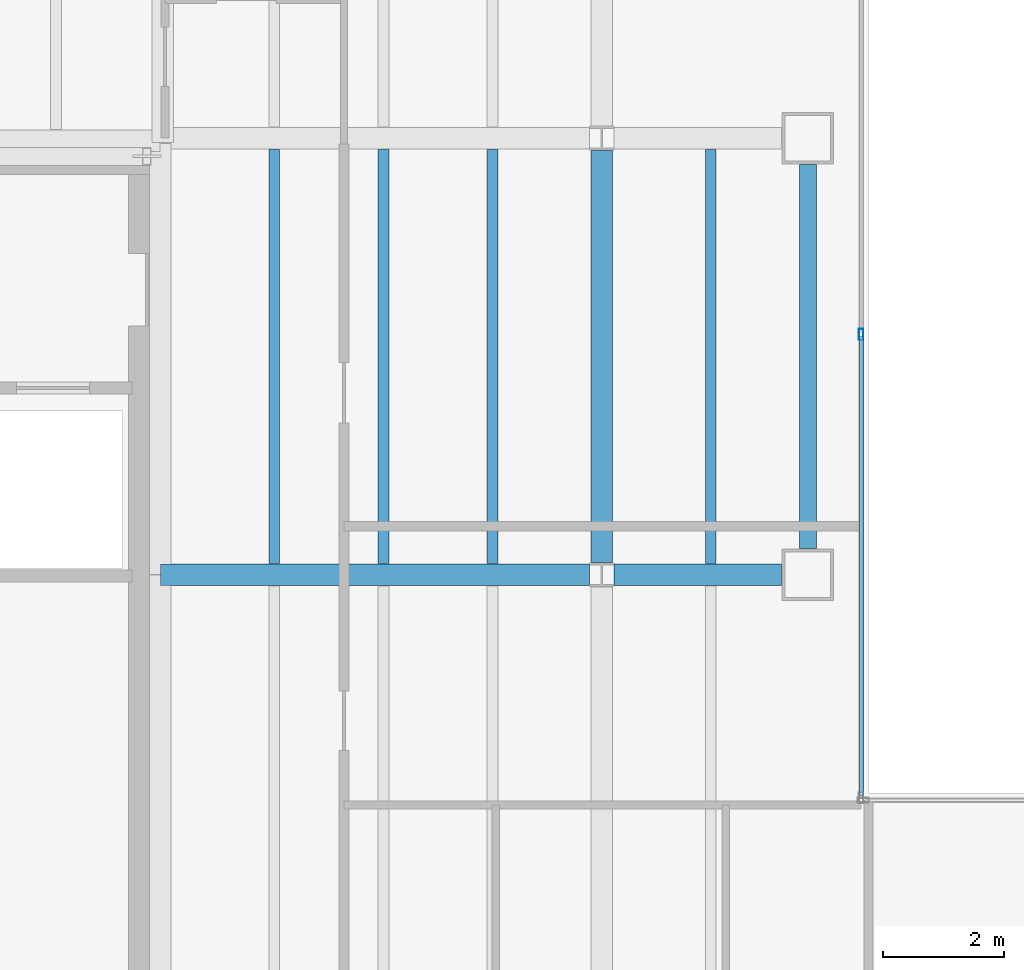
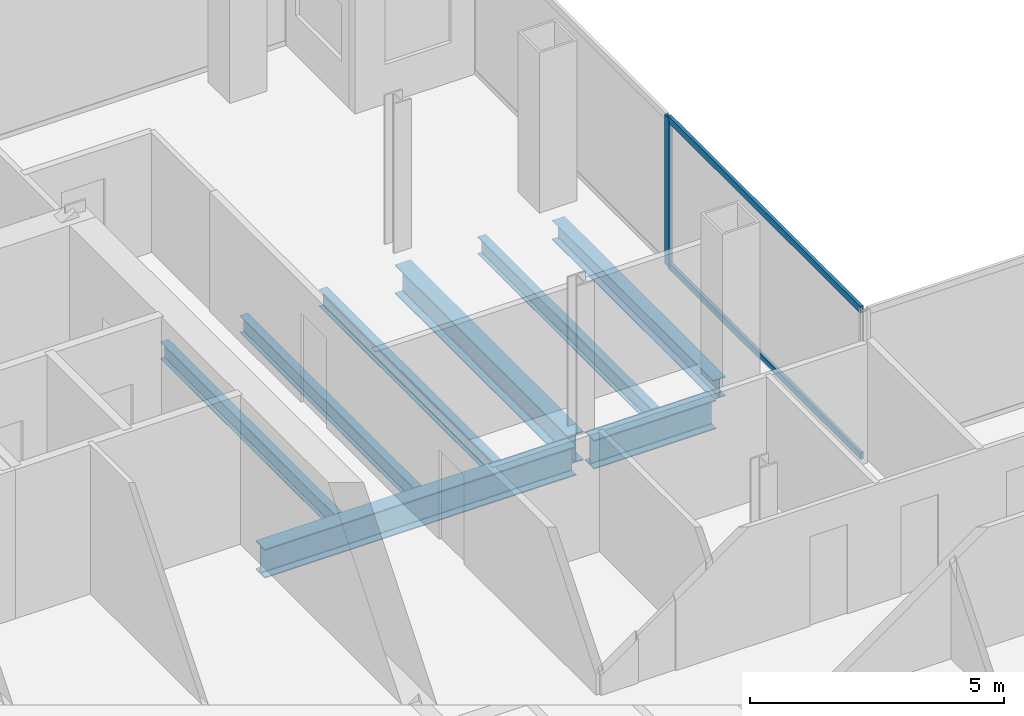
# One storey, part 8 of 23: 8 beams, 3 members, 1 element without a shape of its own.
"""IFC4 building model written with IfcOpenShell, lengths in metres."""

import ifcopenshell
import ifcopenshell.guid

model = None  # the IFC model being written
_history = None  # IfcOwnerHistory: only IFC2X3 demands one
_inside = {}  # id of a spatial element -> (the spatial element, [elements in it])
_under = {}  # id of a project, library or spatial element -> (it, [spatial elements below it])
_declared = {}  # id of a project -> (the project, [libraries it declares])
_typed = {}  # id of a type object -> (the type object, [elements of that type])
_made_of = {}  # id of a material, layer set ... -> (it, [elements and type objects made of it])


def new_model(schema):
    """Start an empty IFC model of exactly this schema.

    Asked for "IFC4X3", IfcOpenShell would pick the latest addendum, in which some entities
    have other attributes; the version numbers below select the first issue.
    IFC2X3 requires an IfcOwnerHistory on every rooted entity: one is made here for all.
    """
    global model, _history
    if schema == "IFC4X3":
        model = ifcopenshell.file(schema_version=(4, 3, 0, 0))
    else:
        model = ifcopenshell.file(schema=schema)
    _inside.clear()
    _under.clear()
    _declared.clear()
    _typed.clear()
    _made_of.clear()
    _history = None
    if model.schema == "IFC2X3":
        org = make("IfcOrganization", Name="unknown")
        user = make(
            "IfcPersonAndOrganization",
            ThePerson=make("IfcPerson", FamilyName="unknown"),
            TheOrganization=org,
        )
        app = make(
            "IfcApplication",
            ApplicationDeveloper=org,
            Version="unknown",
            ApplicationFullName="unknown",
            ApplicationIdentifier="unknown",
        )
        _history = make(
            "IfcOwnerHistory",
            OwningUser=user,
            OwningApplication=app,
            ChangeAction="ADDED",
            CreationDate=0,
        )
    return model


def make(cls, **values):
    """One entity of the class cls with the attributes given. An attribute that is None is left unset."""
    return model.create_entity(
        cls, **{name: value for name, value in values.items() if value is not None}
    )


def rooted(cls, **values):
    """An entity with a GlobalId (a new one), such as an element, a storey or a relation."""
    return make(cls, GlobalId=ifcopenshell.guid.new(), OwnerHistory=_history, **values)


def si_unit(unit_type, name, prefix=None):
    """IfcSIUnit, for example si_unit("LENGTHUNIT", "METRE", prefix="MILLI")."""
    return make("IfcSIUnit", UnitType=unit_type, Prefix=prefix, Name=name)


def assignment(units):
    """IfcUnitAssignment: the units of a project."""
    return None if units is None else make("IfcUnitAssignment", Units=units)


def point(xyz):
    """IfcCartesianPoint."""
    return None if xyz is None else make("IfcCartesianPoint", Coordinates=xyz)


def direction(xyz):
    """IfcDirection."""
    return None if xyz is None else make("IfcDirection", DirectionRatios=xyz)


def frame(location, z_axis=None, x_axis=None):
    """IfcAxis2Placement3D, a coordinate frame: its origin and axes. An axis left out is left unset."""
    return make(
        "IfcAxis2Placement3D",
        Location=point(location),
        Axis=direction(z_axis),
        RefDirection=direction(x_axis),
    )


def frame_2d(location, x_axis=None):
    """IfcAxis2Placement2D, a coordinate frame in the plane: its origin and x axis."""
    return make(
        "IfcAxis2Placement2D", Location=point(location), RefDirection=direction(x_axis)
    )


def origin():
    """The frame at (0, 0, 0) with its axes left unset."""
    return frame((0.0, 0.0, 0.0))


def origin_2d():
    """The frame at (0, 0) in the plane with its x axis left unset."""
    return frame_2d((0.0, 0.0))


def place(relative_to, where):
    """IfcLocalPlacement: puts the frame where relative to a parent placement (None: the world)."""
    return make(
        "IfcLocalPlacement", PlacementRelTo=relative_to, RelativePlacement=where
    )


def context(
    kind, dimensions, precision=None, world=None, true_north=None, identifier=None
):
    """IfcGeometricRepresentationContext, for example the 3D "Model" context."""
    return make(
        "IfcGeometricRepresentationContext",
        ContextIdentifier=identifier,
        ContextType=kind,
        CoordinateSpaceDimension=dimensions,
        Precision=precision,
        WorldCoordinateSystem=world,
        TrueNorth=true_north,
    )


def subcontext(parent, identifier, kind, view, scale=None):
    """IfcGeometricRepresentationSubContext, for example "Body" below "Model"."""
    return make(
        "IfcGeometricRepresentationSubContext",
        ContextIdentifier=identifier,
        ContextType=kind,
        ParentContext=parent,
        TargetScale=scale,
        TargetView=view,
    )


def project(units=None, contexts=None):
    """IfcProject with its units and contexts."""
    return rooted(
        "IfcProject",
        Name="project",
        RepresentationContexts=contexts,
        UnitsInContext=assignment(units),
    )


def spatial(cls, under=None, at=None, **own):
    """A site, building, storey or space (cls), placed at a placement, below another one or the project."""
    s = rooted(cls, ObjectPlacement=at, **own)
    if under is not None:
        _under.setdefault(under.id(), (under, []))[1].append(s)
    return s


def profile(cls, at=None, kind="AREA", **sizes):
    """A parametric profile (cls). Its sizes go by their IFC names, for example OverallWidth=200.0."""
    return make(cls, ProfileType=kind, Position=at, **sizes)


def hollow_rectangle(**sizes):
    """IfcRectangleHollowProfileDef."""
    return profile("IfcRectangleHollowProfileDef", **sizes)


def i_section(**sizes):
    """IfcIShapeProfileDef."""
    return profile("IfcIShapeProfileDef", **sizes)


def extrude(swept, where, along, depth):
    """IfcExtrudedAreaSolid: the profile swept, set in the frame where, extruded along a direction by depth."""
    return make(
        "IfcExtrudedAreaSolid",
        SweptArea=swept,
        Position=where,
        ExtrudedDirection=direction(along),
        Depth=depth,
    )


def shape(context_of_items, identifier, shape_type, items):
    """IfcShapeRepresentation: the items that make up one representation, for example the "Body"."""
    return make(
        "IfcShapeRepresentation",
        ContextOfItems=context_of_items,
        RepresentationIdentifier=identifier,
        RepresentationType=shape_type,
        Items=items,
    )


def material(Name=None, Category=None):
    """IfcMaterial."""
    return make("IfcMaterial", Name=Name, Category=Category)


def material_profile(
    of_material, cross_section, Name=None, Category=None, Priority=None
):
    """IfcMaterialProfile: a cross section and its material."""
    return make(
        "IfcMaterialProfile",
        Name=Name,
        Material=of_material,
        Profile=cross_section,
        Priority=Priority,
        Category=Category,
    )


def profile_set(profiles, Name=None, composite=None):
    """IfcMaterialProfileSet."""
    return make(
        "IfcMaterialProfileSet",
        Name=Name,
        MaterialProfiles=profiles,
        CompositeProfile=composite,
    )


def made_of(thing, what):
    """Note that an element or type object is made of a material, layer set ...; save() writes the relation."""
    if what is not None:
        _made_of.setdefault(what.id(), (what, []))[1].append(thing)
    return thing


def type_object(cls, material=None, **own):
    """A type object (cls), such as IfcWallType, which elements share."""
    return made_of(rooted(cls, **own), material)


def element(
    cls,
    number,
    at=None,
    inside=None,
    cuts=None,
    type_object=None,
    material=None,
    context=None,
    identifier="Body",
    shape_type=None,
    held_by="IfcProductDefinitionShape",
    body=None,
    shapes=None,
    **own,
):
    """One element of the class cls, such as IfcWall. Its Tag is "e" and its number.

    at: its placement. inside: the storey or other place that contains it. cuts: it is an
    opening in that element (IfcRelVoidsElement). A single representation is given by context,
    identifier, shape_type and body (its items); several are given by shapes. held_by: the class
    of the entity that holds the representations. save() writes the other relations.
    """
    e = rooted(cls, Tag="e%d" % number, ObjectPlacement=at, **own)
    if body is not None:
        shapes = [shape(context, identifier, shape_type, body)]
    if shapes is not None:
        e.Representation = make(held_by, Representations=shapes)
    if inside is not None:
        _inside.setdefault(inside.id(), (inside, []))[1].append(e)
    if cuts is not None:
        rooted(
            "IfcRelVoidsElement", RelatingBuildingElement=cuts, RelatedOpeningElement=e
        )
    if type_object is not None:
        _typed.setdefault(type_object.id(), (type_object, []))[1].append(e)
    return made_of(e, material)


def aggregate(whole, parts):
    """IfcRelAggregates: a whole, such as a stair, and the parts it consists of."""
    return rooted("IfcRelAggregates", RelatingObject=whole, RelatedObjects=parts)


def save(model, path):
    """Write the relations noted so far, then the file.

    IfcRelAggregates (storeys below a building ...), IfcRelContainedInSpatialStructure (elements
    in a storey), IfcRelDefinesByType, IfcRelAssociatesMaterial and IfcRelDeclares: one each for
    every whole, place, type object, material and project.
    """
    for whole, parts in _under.values():
        aggregate(whole, parts)
    for where, things in _inside.values():
        rooted(
            "IfcRelContainedInSpatialStructure",
            RelatedElements=things,
            RelatingStructure=where,
        )
    for kind, things in _typed.values():
        rooted("IfcRelDefinesByType", RelatedObjects=things, RelatingType=kind)
    for what, things in _made_of.values():
        rooted("IfcRelAssociatesMaterial", RelatedObjects=things, RelatingMaterial=what)
    for by, libraries in _declared.values():
        rooted("IfcRelDeclares", RelatingContext=by, RelatedDefinitions=libraries)
    model.write(path)


model = new_model("IFC4")

# Units and contexts
model_context = context("Model", 3, precision=1e-05, world=origin(), true_north=direction((0.0, 1.0)))
body_context = subcontext(model_context, "Body", "Model", "MODEL_VIEW")
ifc_project = project(units=[si_unit("LENGTHUNIT", "METRE"), si_unit("AREAUNIT", "SQUARE_METRE"), si_unit("VOLUMEUNIT", "CUBIC_METRE"), si_unit("PLANEANGLEUNIT", "RADIAN"), si_unit("MASSUNIT", "GRAM", prefix="KILO")], contexts=[model_context])

# Site, building, storey
site_placement = place(None, origin())
site = spatial("IfcSite", under=ifc_project, at=site_placement, CompositionType="ELEMENT")
building_placement = place(site_placement, origin())
building = spatial("IfcBuilding", under=site, at=building_placement, Name="Cobrela Telecom Tower", CompositionType="ELEMENT")
storey_placement = place(building_placement, frame((0.0, 0.0, 159.949951171875)))
storey = spatial("IfcBuildingStorey", under=building, at=storey_placement, Name="L40", CompositionType="ELEMENT", Elevation=159.949951171875)

# Beams
ifc_material_1 = material(Name="Steel ASTM A992 Grade 50", Category="steel")
ifc_material_profile_1 = material_profile(ifc_material_1, i_section(OverallWidth=0.35595703125, OverallDepth=0.696044921875, WebThickness=0.015380859375, FlangeThickness=0.024658203125, FilletRadius=0.01806640625, at=origin_2d()), Name="W27X146")
ifc_profile_set_1 = profile_set([ifc_material_profile_1], Name="Steel ASTM A992 Grade 50")
beam_type_1 = type_object("IfcBeamType", Name="BM-GIRD-05", PredefinedType="USERDEFINED", material=ifc_profile_set_1)
beam_1_placement = place(storey_placement, frame((14.324951171875, 28.800048828125, -0.617919921875), z_axis=(1.0, 0.0, 0.0), x_axis=(0.0, 1.0, 0.0)))
element("IfcBeam", 1, at=beam_1_placement, inside=storey, type_object=beam_type_1, Name="L40 Primary Girder X19", ObjectType="GIRDER", PredefinedType="USERDEFINED", context=body_context, shape_type="SweptSolid", body=[
    extrude(i_section(OverallWidth=0.35595703125, OverallDepth=0.696044921875, WebThickness=0.015380859375, FlangeThickness=0.024658203125, FilletRadius=0.01806640625, at=origin_2d()), origin(), (0.0, 0.0, 1.0), 7.070556640625),
])
beam_2_placement = place(storey_placement, frame((21.804443359375, 28.800048828125, -0.617919921875), z_axis=(1.0, 0.0, 0.0), x_axis=(0.0, 1.0, 0.0)))
element("IfcBeam", 2, at=beam_2_placement, inside=storey, type_object=beam_type_1, Name="L40 Primary Girder X20", ObjectType="GIRDER", PredefinedType="USERDEFINED", context=body_context, shape_type="SweptSolid", body=[
    extrude(i_section(OverallWidth=0.35595703125, OverallDepth=0.696044921875, WebThickness=0.015380859375, FlangeThickness=0.024658203125, FilletRadius=0.01806640625, at=origin_2d()), origin(), (0.0, 0.0, 1.0), 2.765625),
])
beam_3_placement = place(storey_placement, frame((21.60009765625, 29.00439453125, -0.617919921875), z_axis=(0.0, 1.0, 0.0), x_axis=(-1.0, 0.0, 0.0)))
element("IfcBeam", 3, at=beam_3_placement, inside=storey, type_object=beam_type_1, Name="L40 Primary Girder Y39", ObjectType="GIRDER", PredefinedType="USERDEFINED", context=body_context, shape_type="SweptSolid", body=[
    extrude(i_section(OverallWidth=0.35595703125, OverallDepth=0.696044921875, WebThickness=0.015380859375, FlangeThickness=0.024658203125, FilletRadius=0.01806640625, at=origin_2d()), origin(), (0.0, 0.0, 1.0), 6.791015625),
])
ifc_material_profile_2 = material_profile(ifc_material_1, i_section(OverallWidth=0.179931640625, OverallDepth=0.4169921875, WebThickness=0.010986328125, FlangeThickness=0.01806640625, FilletRadius=0.011962890625, at=origin_2d()), Name="W16X57")
ifc_profile_set_2 = profile_set([ifc_material_profile_2], Name="Steel ASTM A992 Grade 50")
beam_type_2 = type_object("IfcBeamType", Name="BM-JOIST-04", PredefinedType="JOIST", material=ifc_profile_set_2)
for number, where, z_axis, x_axis, name in (
    (4, (16.199951171875, 28.98291015625, -0.478515625), (0.0, 1.0, 0.0), (-1.0, 0.0, 0.0), "L40 Secondary Composite Floor Beam J07"),
    (5, (18.0, 28.98291015625, -0.478515625), (0.0, 1.0, 0.0), (-1.0, 0.0, 0.0), "L40 Secondary Composite Floor Beam J12"),
    (6, (19.800048828125, 28.98291015625, -0.478515625), (0.0, 1.0, 0.0), (-1.0, 0.0, 0.0), "L40 Secondary Composite Floor Beam J17"),
    (7, (23.39990234375, 28.98291015625, -0.478515625), (0.0, 1.0, 0.0), (-1.0, 0.0, 0.0), "L40 Secondary Composite Floor Beam J22"),
):
    element("IfcBeam", number, at=place(storey_placement, frame(where, z_axis=z_axis, x_axis=x_axis)), inside=storey, type_object=beam_type_2, Name=name, PredefinedType="JOIST", context=body_context, shape_type="SweptSolid", body=[
        extrude(i_section(OverallWidth=0.179931640625, OverallDepth=0.4169921875, WebThickness=0.010986328125, FlangeThickness=0.01806640625, FilletRadius=0.011962890625, at=origin_2d()), origin(), (0.0, 0.0, 1.0), 6.833984375),
    ])
ifc_material_profile_3 = material_profile(ifc_material_1, i_section(OverallWidth=0.281982421875, OverallDepth=0.467041015625, WebThickness=0.01220703125, FlangeThickness=0.01953125, FilletRadius=0.012939453125, at=origin_2d()), Name="W18X86")
ifc_profile_set_3 = profile_set([ifc_material_profile_3], Name="Steel ASTM A992 Grade 50")
beam_type_3 = type_object("IfcBeamType", Name="BM-SPAND-04", PredefinedType="SPANDREL", material=ifc_profile_set_3)
beam_4_placement = place(storey_placement, frame((25.0, 29.22998046875, -0.50341796875), z_axis=(0.0, 1.0, 0.0), x_axis=(-1.0, 0.0, 0.0)))
element("IfcBeam", 8, at=beam_4_placement, inside=storey, type_object=beam_type_3, Name="L40 Perimeter Spandrel Y41", PredefinedType="SPANDREL", context=body_context, shape_type="SweptSolid", body=[
    extrude(i_section(OverallWidth=0.281982421875, OverallDepth=0.467041015625, WebThickness=0.01220703125, FlangeThickness=0.01953125, FilletRadius=0.012939453125, at=origin_2d()), origin(), (0.0, 0.0, 1.0), 6.340087890625),
])

# Curtain wall, members
ifc_material_2 = material(Name="Anodized Bronze Aluminium 6063-T6", Category="aluminium")
curtain_wall_type = type_object("IfcCurtainWallType", Name="CW-SYS-TEL", PredefinedType="USERDEFINED", material=ifc_material_2)
curtain_wall_placement = place(storey_placement, origin())
curtain_wall = element("IfcCurtainWall", 9, at=curtain_wall_placement, inside=storey, type_object=curtain_wall_type, Name="L40 Unitised Bronze Curtain Wall 10", ObjectType="UNITISED CURTAIN WALL", PredefinedType="USERDEFINED")
ifc_material_profile_4 = material_profile(ifc_material_2, hollow_rectangle(XDim=0.074951171875, YDim=0.179931640625, WallThickness=0.00390625, at=origin_2d()), Name="ALU 75x180x4")
ifc_profile_set_4 = profile_set([ifc_material_profile_4], Name="Anodized Bronze Aluminium 6063-T6")
member_type_1 = type_object("IfcMemberType", Name="CW-SYS-TEL-MUL", PredefinedType="MULLION", material=ifc_profile_set_4)
member_1_placement = place(storey_placement, frame((25.8798828125, 32.764892578125, 0.0), z_axis=(0.0, 0.0, 1.0), x_axis=(1.0, 0.0, 0.0)))
member_1 = element("IfcMember", 10, at=member_1_placement, type_object=member_type_1, Name="CW-TEL mullion 2", PredefinedType="MULLION", context=body_context, shape_type="SweptSolid", body=[
    extrude(hollow_rectangle(XDim=0.074951171875, YDim=0.179931640625, WallThickness=0.00390625, at=origin_2d()), origin(), (0.0, 0.0, 1.0), 3.580078125),
])
ifc_material_profile_5 = material_profile(ifc_material_2, hollow_rectangle(XDim=0.070068359375, YDim=0.159912109375, WallThickness=0.00390625, at=origin_2d()), Name="ALU 70x160x4")
ifc_profile_set_5 = profile_set([ifc_material_profile_5], Name="Anodized Bronze Aluminium 6063-T6")
member_type_2 = type_object("IfcMemberType", Name="CW-SYS-TEL-TRN", PredefinedType="USERDEFINED", material=ifc_profile_set_5)
member_2_placement = place(storey_placement, frame((25.8798828125, 32.7275390625, 0.03515625), z_axis=(0.0, -1.0, 0.0), x_axis=(1.0, 0.0, 0.0)))
member_2 = element("IfcMember", 11, at=member_2_placement, type_object=member_type_2, Name="CW-TEL transom 2.1", ObjectType="TRANSOM", PredefinedType="USERDEFINED", context=body_context, shape_type="SweptSolid", body=[
    extrude(hollow_rectangle(XDim=0.070068359375, YDim=0.159912109375, WallThickness=0.00390625, at=origin_2d()), origin(), (0.0, 0.0, 1.0), 7.572509765625),
])
member_3_placement = place(storey_placement, frame((25.8798828125, 32.7275390625, 3.545166015625), z_axis=(0.0, -1.0, 0.0), x_axis=(1.0, 0.0, 0.0)))
member_3 = element("IfcMember", 12, at=member_3_placement, type_object=member_type_2, Name="CW-TEL transom 2.2", ObjectType="TRANSOM", PredefinedType="USERDEFINED", context=body_context, shape_type="SweptSolid", body=[
    extrude(hollow_rectangle(XDim=0.070068359375, YDim=0.159912109375, WallThickness=0.00390625, at=origin_2d()), origin(), (0.0, 0.0, 1.0), 7.572509765625),
])
aggregate(curtain_wall, [member_1, member_2, member_3])

save(model, "model.ifc")
